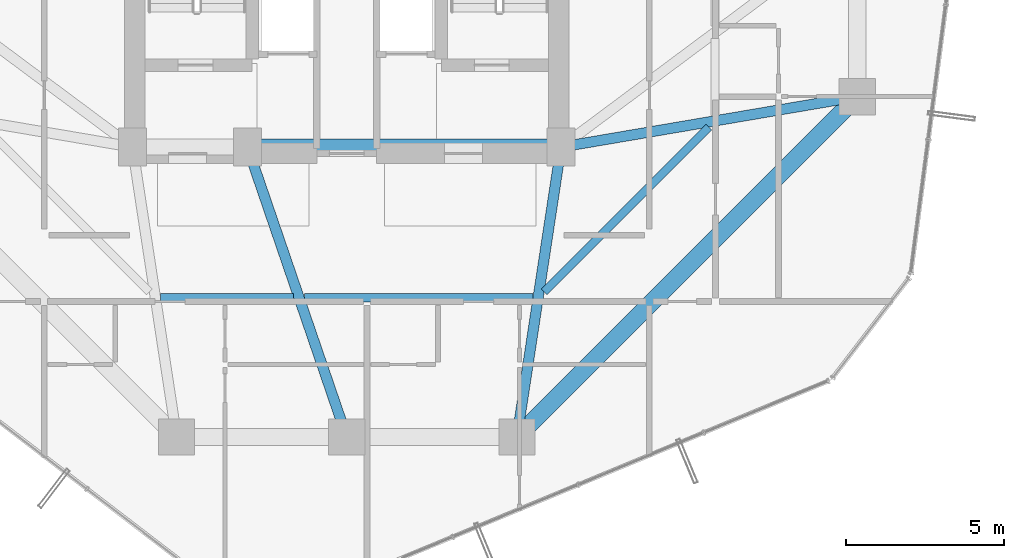
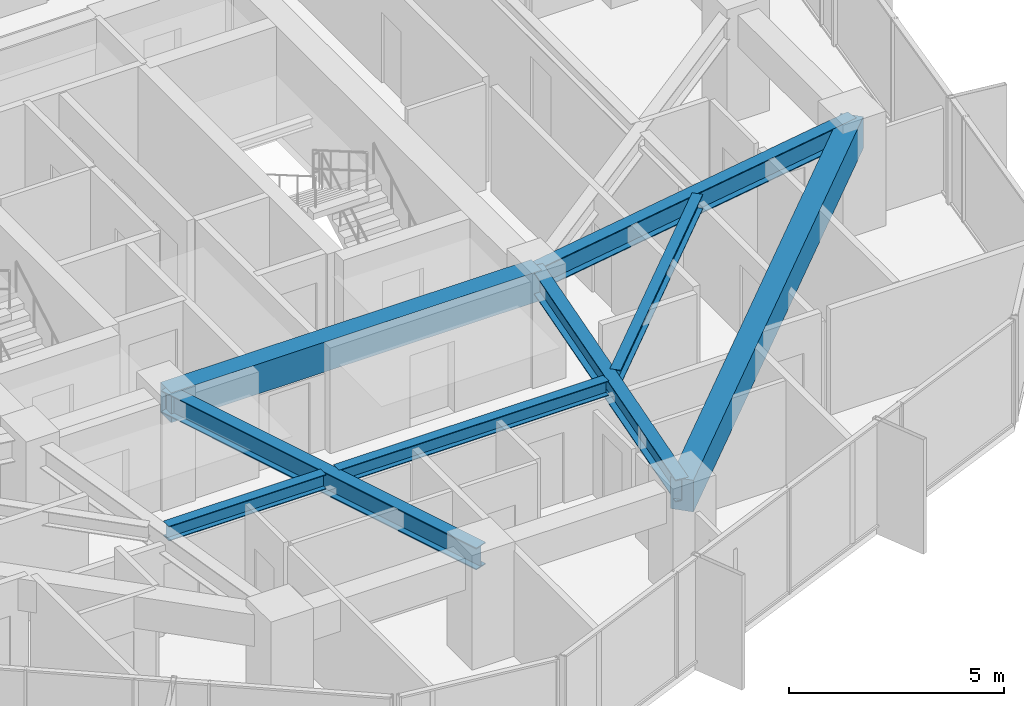
# One storey, part 9 of 30: 8 beams.
"""IFC4 building model written with IfcOpenShell, lengths in metres."""

from ifc_helpers import new_model, si_unit, direction, frame, origin, origin_2d, place, context, subcontext, project, spatial, rectangle, i_section, extrude, material, material_profile, profile_set, type_object, element, save


model = new_model("IFC4")

# Units and contexts
model_context = context("Model", 3, precision=1e-05, world=origin(), true_north=direction((0.0, 1.0)))
body_context = subcontext(model_context, "Body", "Model", "MODEL_VIEW")
ifc_project = project(units=[si_unit("LENGTHUNIT", "METRE"), si_unit("AREAUNIT", "SQUARE_METRE"), si_unit("VOLUMEUNIT", "CUBIC_METRE"), si_unit("PLANEANGLEUNIT", "RADIAN"), si_unit("MASSUNIT", "GRAM", prefix="KILO")], contexts=[model_context])

# Site, building, storey
site_placement = place(None, origin())
site = spatial("IfcSite", under=ifc_project, at=site_placement, CompositionType="ELEMENT")
building_placement = place(site_placement, origin())
building = spatial("IfcBuilding", under=site, at=building_placement, Name="Veraguas Prism Commons", CompositionType="ELEMENT")
storey_placement = place(building_placement, frame((0.0, 0.0, 102.449951171875)))
storey = spatial("IfcBuildingStorey", under=building, at=storey_placement, Name="L28", CompositionType="ELEMENT", Elevation=102.449951171875)

# Beams
ifc_material_1 = material(Name="Concrete C50/60", Category="concrete")
ifc_material_profile_1 = material_profile(ifc_material_1, rectangle(XDim=0.5, YDim=0.85009765625, at=origin_2d()), Name="RC500X850")
ifc_profile_set_1 = profile_set([ifc_material_profile_1], Name="Concrete C50/60")
beam_type_1 = type_object("IfcBeamType", Name="Core Coupling Beam RC 500x850", PredefinedType="BEAM", material=ifc_profile_set_1)
beam_1_placement = place(storey_placement, frame((20.85009765625, 17.0, 2.574951171875), z_axis=(1.0, 0.0, 0.0), x_axis=(0.0, 1.0, 0.0)))
element("IfcBeam", 1, at=beam_1_placement, inside=storey, type_object=beam_type_1, Name="Core Coupling Beam L28-CRS2", PredefinedType="BEAM", context=body_context, shape_type="SweptSolid", body=[
    extrude(rectangle(XDim=0.5, YDim=0.85009765625, at=origin_2d()), origin(), (0.0, 0.0, 1.0), 9.949951171875),
])
ifc_material_2 = material(Name="Steel ASTM A992 Grade 50", Category="steel")
ifc_material_profile_2 = material_profile(ifc_material_2, i_section(OverallWidth=0.260986328125, OverallDepth=0.419921875, WebThickness=0.01171875, FlangeThickness=0.019287109375, at=origin_2d()), Name="W410X114")
ifc_profile_set_2 = profile_set([ifc_material_profile_2], Name="Steel ASTM A992 Grade 50")
beam_type_2 = type_object("IfcBeamType", Name="Lower Floor Joist W410x114", PredefinedType="JOIST", material=ifc_profile_set_2)
beam_2_placement = place(storey_placement, frame((18.091796875, 12.216064453125, 2.7900390625), z_axis=(1.0, 0.0, 0.0), x_axis=(0.0, 1.0, 0.0)))
element("IfcBeam", 2, at=beam_2_placement, inside=storey, type_object=beam_type_2, Name="Composite Floor Joist L28-JS10", PredefinedType="JOIST", context=body_context, shape_type="SweptSolid", body=[
    extrude(i_section(OverallWidth=0.260986328125, OverallDepth=0.419921875, WebThickness=0.01171875, FlangeThickness=0.019287109375, at=origin_2d()), origin(), (0.0, 0.0, 1.0), 4.22509765625),
])
beam_3_placement = place(storey_placement, frame((22.6591796875, 12.216064453125, 2.7900390625), z_axis=(1.0, 0.0, 0.0), x_axis=(0.0, 1.0, 0.0)))
element("IfcBeam", 3, at=beam_3_placement, inside=storey, type_object=beam_type_2, Name="Composite Floor Joist L28-JS11", PredefinedType="JOIST", context=body_context, shape_type="SweptSolid", body=[
    extrude(i_section(OverallWidth=0.260986328125, OverallDepth=0.419921875, WebThickness=0.01171875, FlangeThickness=0.019287109375, at=origin_2d()), origin(), (0.0, 0.0, 1.0), 7.2490234375),
])
beam_4_placement = place(storey_placement, frame((30.265380859375, 12.4091796875, 2.7900390625), z_axis=(0.707090260193, 0.707123301794, 0.0), x_axis=(-0.707123301794, 0.707090260193, 0.0)))
element("IfcBeam", 4, at=beam_4_placement, inside=storey, type_object=beam_type_2, Name="Composite Floor Joist L28-JS12", PredefinedType="JOIST", context=body_context, shape_type="SweptSolid", body=[
    extrude(i_section(OverallWidth=0.260986328125, OverallDepth=0.419921875, WebThickness=0.01171875, FlangeThickness=0.019287109375, at=origin_2d()), origin(), (0.0, 0.0, 1.0), 7.388916015625),
])
ifc_material_profile_3 = material_profile(ifc_material_1, rectangle(XDim=0.550048828125, YDim=0.89990234375, at=origin_2d()), Name="RC550X900")
ifc_profile_set_3 = profile_set([ifc_material_profile_3], Name="Concrete C50/60")
beam_type_3 = type_object("IfcBeamType", Name="Perimeter Spandrel Lower RC 550x900", PredefinedType="SPANDREL", material=ifc_profile_set_3)
beam_5_placement = place(storey_placement, frame((29.39990234375, 7.800048828125, 2.550048828125), z_axis=(0.707106781187, 0.707106781187, 0.0), x_axis=(-0.707106781187, 0.707106781187, 0.0)))
element("IfcBeam", 5, at=beam_5_placement, inside=storey, type_object=beam_type_3, Name="Perimeter Spandrel Beam L28-SP12", PredefinedType="SPANDREL", context=body_context, shape_type="SweptSolid", body=[
    extrude(rectangle(XDim=0.550048828125, YDim=0.89990234375, at=origin_2d()), origin(), (0.0, 0.0, 1.0), 15.273681640625),
])
ifc_material_profile_4 = material_profile(ifc_material_2, i_section(OverallWidth=0.327880859375, OverallDepth=0.6220703125, WebThickness=0.015380859375, FlangeThickness=0.0244140625, at=origin_2d()), Name="W610X195")
ifc_profile_set_4 = profile_set([ifc_material_profile_4], Name="Steel ASTM A992 Grade 50")
beam_type_4 = type_object("IfcBeamType", Name="Zone 2 Radial Girder W610x195", PredefinedType="BEAM", material=ifc_profile_set_4)
beam_6_placement = place(storey_placement, frame((40.199951171875, 18.60009765625, 2.68896484375), z_axis=(-0.985819187151, -0.1678109956, 0.0), x_axis=(0.1678109956, -0.985819187151, 0.0)))
element("IfcBeam", 6, at=beam_6_placement, inside=storey, type_object=beam_type_4, Name="Radial Floor Girder L28-RD01", PredefinedType="BEAM", context=body_context, shape_type="SweptSolid", body=[
    extrude(i_section(OverallWidth=0.327880859375, OverallDepth=0.6220703125, WebThickness=0.015380859375, FlangeThickness=0.0244140625, at=origin_2d()), origin(), (0.0, 0.0, 1.0), 9.53515625),
])
beam_7_placement = place(storey_placement, frame((24.0, 7.800048828125, 2.68896484375), z_axis=(-0.323922482989, 0.946083624747, 0.0), x_axis=(-0.946083624747, -0.323922482989, 0.0)))
element("IfcBeam", 7, at=beam_7_placement, inside=storey, type_object=beam_type_4, Name="Radial Floor Girder L28-RD11", PredefinedType="BEAM", context=body_context, shape_type="SweptSolid", body=[
    extrude(i_section(OverallWidth=0.327880859375, OverallDepth=0.6220703125, WebThickness=0.015380859375, FlangeThickness=0.0244140625, at=origin_2d()), origin(), (0.0, 0.0, 1.0), 9.724365234375),
])
beam_8_placement = place(storey_placement, frame((29.39990234375, 7.800048828125, 2.68896484375), z_axis=(0.150458162136, 0.98861637729, 0.0), x_axis=(-0.98861637729, 0.150458162136, 0.0)))
element("IfcBeam", 8, at=beam_8_placement, inside=storey, type_object=beam_type_4, Name="Radial Floor Girder L28-RD12", PredefinedType="BEAM", context=body_context, shape_type="SweptSolid", body=[
    extrude(i_section(OverallWidth=0.327880859375, OverallDepth=0.6220703125, WebThickness=0.015380859375, FlangeThickness=0.0244140625, at=origin_2d()), origin(), (0.0, 0.0, 1.0), 9.305908203125),
])

save(model, "model.ifc")
